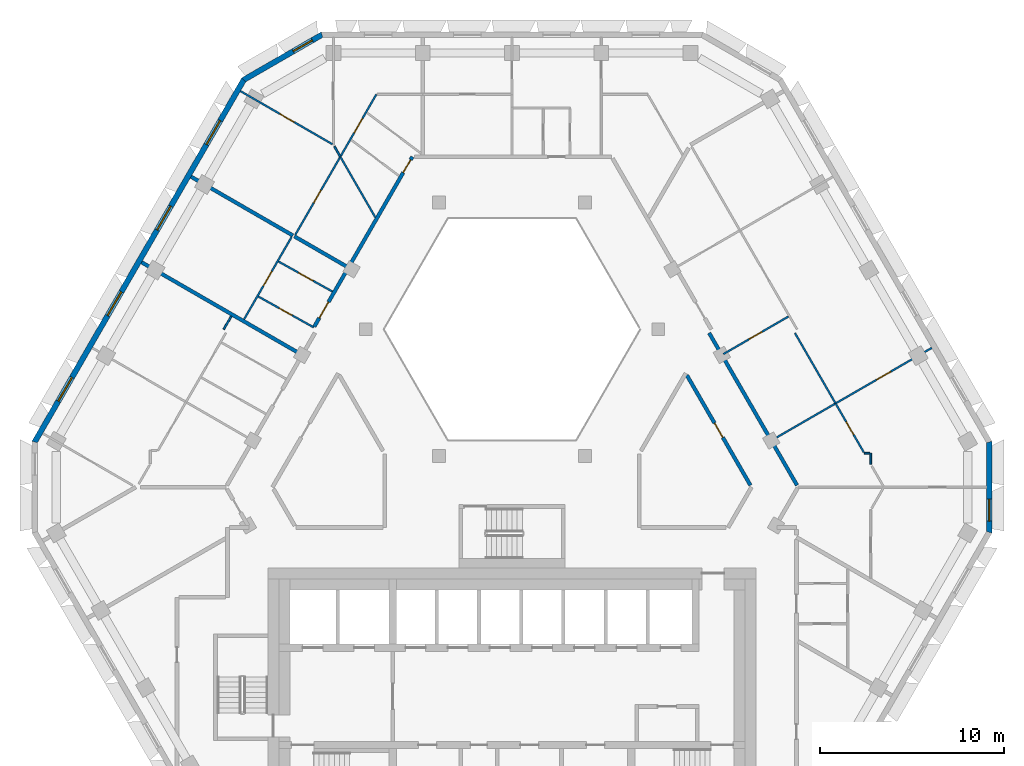
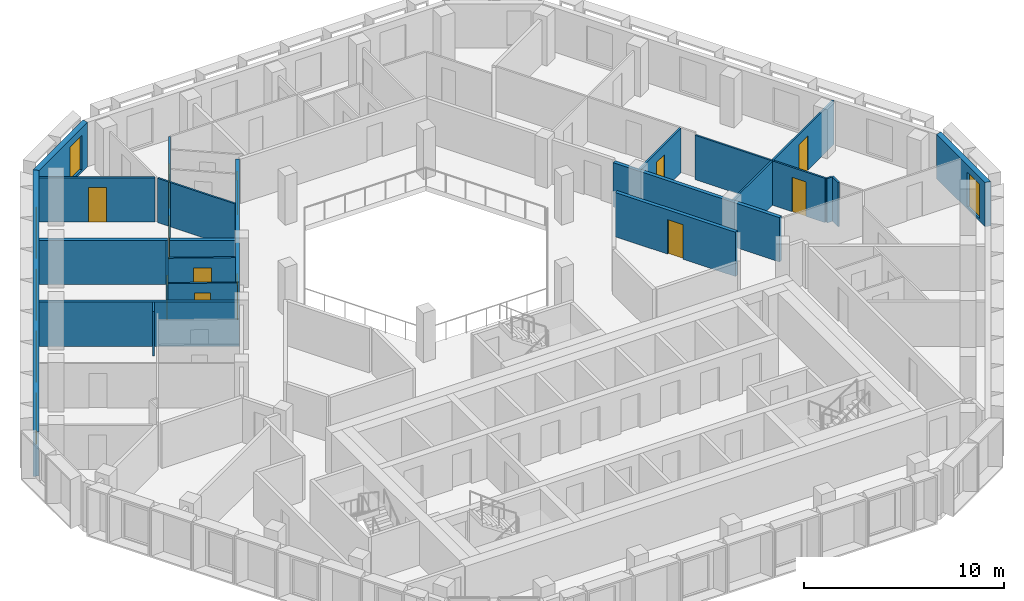
# One storey, part 6 of 15: 23 walls, 12 doors, 6 windows, 18 openings.
"""IFC4 building model written with IfcOpenShell, lengths in metres."""

from ifc_helpers import new_model, si_unit, direction, frame, frame_2d, origin, place, context, subcontext, project, spatial, polyline, rectangle, outline, extrude, material, layer, layer_set, type_object, element, fill, save


model = new_model("IFC4")

# Units and contexts
model_context = context("Model", 3, precision=1e-05, world=origin(), true_north=direction((0.0, 1.0)))
body_context = subcontext(model_context, "Body", "Model", "MODEL_VIEW")
ifc_project = project(units=[si_unit("LENGTHUNIT", "METRE"), si_unit("AREAUNIT", "SQUARE_METRE"), si_unit("VOLUMEUNIT", "CUBIC_METRE"), si_unit("PLANEANGLEUNIT", "RADIAN"), si_unit("MASSUNIT", "GRAM", prefix="KILO")], contexts=[model_context])

# Site, building, storey
site_placement = place(None, origin())
site = spatial("IfcSite", under=ifc_project, at=site_placement, CompositionType="ELEMENT")
building_placement = place(site_placement, origin())
building = spatial("IfcBuilding", under=site, at=building_placement, Name="Beryl Residences", CompositionType="ELEMENT")
storey_placement = place(building_placement, frame((0.0, 0.0, 163.199951171875)))
storey = spatial("IfcBuildingStorey", under=building, at=storey_placement, Name="L49", CompositionType="ELEMENT", Elevation=163.199951171875)

# Wall, opening, window
ifc_material_1 = material(Name="Composite metal panel with mineral wool insulation")
ifc_layer_1 = layer(ifc_material_1, 0.300048828125)
ifc_layer_set_1 = layer_set([ifc_layer_1], Name="ES1 pale metal composite panel wall 300 mm")
wall_type_1 = type_object("IfcWallType", Name="ES1 pale metal composite panel wall 300 mm", PredefinedType="SOLIDWALL", material=ifc_layer_set_1)
wall_1_placement = place(storey_placement, frame((-10.31689453125, 24.070068359375, 0.0), z_axis=(0.0, 0.0, 1.0), x_axis=(-0.866022959057, -0.500004234368, 0.0)))
wall_1 = element("IfcWall", 1, at=wall_1_placement, inside=storey, type_object=wall_type_1, Name="ES1 external wall L49 N-NW", PredefinedType="SOLIDWALL", context=body_context, shape_type="SweptSolid", body=[
    extrude(outline(polyline([(0.0, -0.14990234375), (5.0, -0.14990234375), (4.919677734375, 0.14990234375), (0.080322265625, 0.14990234375), (0.0, -0.14990234375)])), origin(), (0.0, 0.0, 1.0), 2.699951171875),
])
opening_1_placement = place(wall_1_placement, frame((0.64990234375, 0.0, 0.14990234375)))
opening_1 = element("IfcOpeningElement", 2, at=opening_1_placement, cuts=wall_1, Name="Opening W2", PredefinedType="OPENING", context=body_context, shape_type="SweptSolid", body=[
    extrude(rectangle(XDim=1.199951171875, YDim=2.10009765625, at=frame_2d((0.60009765625, 1.050048828125))), frame((0.0, 0.159912109375, 0.0), z_axis=(0.0, -1.0, 0.0), x_axis=(1.0, 0.0, 0.0)), (0.0, 0.0, 1.0), 0.320068359375),
])
ifc_material_2 = material(Name="Aluminium and clear glass", Category="aluminium")
window_type_1 = type_object("IfcWindowType", Name="W2 chamfer window 1200 x 2100 mm", PartitioningType="SINGLE_PANEL", PredefinedType="WINDOW", material=ifc_material_2)
window_1_placement = place(opening_1_placement, origin())
window_1 = element("IfcWindow", 3, at=window_1_placement, inside=storey, type_object=window_type_1, Name="W2 window L49 N-NW 1", OverallHeight=2.10009765625, OverallWidth=1.199951171875, PartitioningType="SINGLE_PANEL", PredefinedType="WINDOW", context=body_context, shape_type="SweptSolid", body=[
    extrude(rectangle(XDim=1.199951171875, YDim=2.10009765625, at=frame_2d((0.60009765625, 1.050048828125))), frame((0.0, 0.030029296875, 0.0), z_axis=(0.0, -1.0, 0.0), x_axis=(1.0, 0.0, 0.0)), (0.0, 0.0, 1.0), 0.06005859375),
])
fill(opening_1, window_1)

# Wall, openings, windows
wall_2_placement = place(storey_placement, frame((-14.592041015625, 21.625, 0.0), z_axis=(0.0, 0.0, 1.0), x_axis=(-0.500010537973, -0.866019319597, 0.0)))
wall_2 = element("IfcWall", 4, at=wall_2_placement, inside=storey, type_object=wall_type_1, Name="ES1 external wall L49 NW", PredefinedType="SOLIDWALL", context=body_context, shape_type="SweptSolid", body=[
    extrude(outline(polyline([(0.0, -0.14990234375), (22.86328125, -0.14990234375), (22.782958984375, 0.14990234375), (0.080322265625, 0.14990234375), (0.0, -0.14990234375)])), origin(), (0.0, 0.0, 1.0), 2.699951171875),
])
opening_2_placement = place(wall_2_placement, frame((2.60595703125, 0.0, 0.14990234375)))
opening_2 = element("IfcOpeningElement", 5, at=opening_2_placement, cuts=wall_2, Name="Opening W1", PredefinedType="OPENING", context=body_context, shape_type="SweptSolid", body=[
    extrude(rectangle(XDim=1.5, YDim=2.10009765625, at=frame_2d((0.75, 1.050048828125))), frame((0.0, 0.159912109375, 0.0), z_axis=(0.0, -1.0, 0.0), x_axis=(1.0, 0.0, 0.0)), (0.0, 0.0, 1.0), 0.320068359375),
])
opening_3_placement = place(wall_2_placement, frame((7.989990234375, 0.0, 0.14990234375)))
opening_3 = element("IfcOpeningElement", 6, at=opening_3_placement, cuts=wall_2, Name="Opening W1", PredefinedType="OPENING", context=body_context, shape_type="SweptSolid", body=[
    extrude(rectangle(XDim=1.5, YDim=2.10009765625, at=frame_2d((0.75, 1.050048828125))), frame((0.0, 0.159912109375, 0.0), z_axis=(0.0, -1.0, 0.0), x_axis=(1.0, 0.0, 0.0)), (0.0, 0.0, 1.0), 0.320068359375),
])
opening_4_placement = place(wall_2_placement, frame((13.373046875, 0.0, 0.14990234375)))
opening_4 = element("IfcOpeningElement", 7, at=opening_4_placement, cuts=wall_2, Name="Opening W1", PredefinedType="OPENING", context=body_context, shape_type="SweptSolid", body=[
    extrude(rectangle(XDim=1.5, YDim=2.10009765625, at=frame_2d((0.75, 1.050048828125))), frame((0.0, 0.159912109375, 0.0), z_axis=(0.0, -1.0, 0.0), x_axis=(1.0, 0.0, 0.0)), (0.0, 0.0, 1.0), 0.320068359375),
])
opening_5_placement = place(wall_2_placement, frame((18.758056640625, 0.0, 0.14990234375)))
opening_5 = element("IfcOpeningElement", 8, at=opening_5_placement, cuts=wall_2, Name="Opening W1", PredefinedType="OPENING", context=body_context, shape_type="SweptSolid", body=[
    extrude(rectangle(XDim=1.5, YDim=2.10009765625, at=frame_2d((0.75, 1.050048828125))), frame((0.0, 0.159912109375, 0.0), z_axis=(0.0, -1.0, 0.0), x_axis=(1.0, 0.0, 0.0)), (0.0, 0.0, 1.0), 0.320068359375),
])
ifc_material_3 = material(Name="Aluminium and clear glass", Category="aluminium")
window_type_2 = type_object("IfcWindowType", Name="W1 cell window 1500 x 2100 mm", PartitioningType="SINGLE_PANEL", PredefinedType="WINDOW", material=ifc_material_3)
window_2_placement = place(opening_2_placement, origin())
window_2 = element("IfcWindow", 9, at=window_2_placement, inside=storey, type_object=window_type_2, Name="W1 window L49 NW 2", OverallHeight=2.10009765625, OverallWidth=1.5, PartitioningType="SINGLE_PANEL", PredefinedType="WINDOW", context=body_context, shape_type="SweptSolid", body=[
    extrude(rectangle(XDim=1.5, YDim=2.10009765625, at=frame_2d((0.75, 1.050048828125))), frame((0.0, 0.030029296875, 0.0), z_axis=(0.0, -1.0, 0.0), x_axis=(1.0, 0.0, 0.0)), (0.0, 0.0, 1.0), 0.06005859375),
])
fill(opening_2, window_2)
window_3_placement = place(opening_3_placement, origin())
window_3 = element("IfcWindow", 10, at=window_3_placement, inside=storey, type_object=window_type_2, Name="W1 window L49 NW 4", OverallHeight=2.10009765625, OverallWidth=1.5, PartitioningType="SINGLE_PANEL", PredefinedType="WINDOW", context=body_context, shape_type="SweptSolid", body=[
    extrude(rectangle(XDim=1.5, YDim=2.10009765625, at=frame_2d((0.75, 1.050048828125))), frame((0.0, 0.030029296875, 0.0), z_axis=(0.0, -1.0, 0.0), x_axis=(1.0, 0.0, 0.0)), (0.0, 0.0, 1.0), 0.06005859375),
])
fill(opening_3, window_3)
window_4_placement = place(opening_4_placement, origin())
window_4 = element("IfcWindow", 11, at=window_4_placement, inside=storey, type_object=window_type_2, Name="W1 window L49 NW 6", OverallHeight=2.10009765625, OverallWidth=1.5, PartitioningType="SINGLE_PANEL", PredefinedType="WINDOW", context=body_context, shape_type="SweptSolid", body=[
    extrude(rectangle(XDim=1.5, YDim=2.10009765625, at=frame_2d((0.75, 1.050048828125))), frame((0.0, 0.030029296875, 0.0), z_axis=(0.0, -1.0, 0.0), x_axis=(1.0, 0.0, 0.0)), (0.0, 0.0, 1.0), 0.06005859375),
])
fill(opening_4, window_4)
window_5_placement = place(opening_5_placement, origin())
window_5 = element("IfcWindow", 12, at=window_5_placement, inside=storey, type_object=window_type_2, Name="W1 window L49 NW 8", OverallHeight=2.10009765625, OverallWidth=1.5, PartitioningType="SINGLE_PANEL", PredefinedType="WINDOW", context=body_context, shape_type="SweptSolid", body=[
    extrude(rectangle(XDim=1.5, YDim=2.10009765625, at=frame_2d((0.75, 1.050048828125))), frame((0.0, 0.030029296875, 0.0), z_axis=(0.0, -1.0, 0.0), x_axis=(1.0, 0.0, 0.0)), (0.0, 0.0, 1.0), 0.06005859375),
])
fill(opening_5, window_5)

# Wall, opening, window
wall_3_placement = place(storey_placement, frame((26.00390625, -3.10009765625, 0.0), z_axis=(0.0, 0.0, 1.0), x_axis=(0.0, 1.0, 0.0)))
wall_3 = element("IfcWall", 13, at=wall_3_placement, inside=storey, type_object=wall_type_1, Name="ES1 external wall L49 SE-NE", PredefinedType="SOLIDWALL", context=body_context, shape_type="SweptSolid", body=[
    extrude(outline(polyline([(0.0, -0.14990234375), (5.0, -0.14990234375), (4.919677734375, 0.14990234375), (0.080322265625, 0.14990234375), (0.0, -0.14990234375)])), origin(), (0.0, 0.0, 1.0), 2.699951171875),
])
opening_6_placement = place(wall_3_placement, frame((0.64990234375, 0.0, 0.14990234375)))
opening_6 = element("IfcOpeningElement", 14, at=opening_6_placement, cuts=wall_3, Name="Opening W2", PredefinedType="OPENING", context=body_context, shape_type="SweptSolid", body=[
    extrude(rectangle(XDim=1.199951171875, YDim=2.10009765625, at=frame_2d((0.60009765625, 1.050048828125))), frame((0.0, 0.159912109375, 0.0), z_axis=(0.0, -1.0, 0.0), x_axis=(1.0, 0.0, 0.0)), (0.0, 0.0, 1.0), 0.320068359375),
])
window_6_placement = place(opening_6_placement, origin())
window_6 = element("IfcWindow", 15, at=window_6_placement, inside=storey, type_object=window_type_1, Name="W2 window L49 SE-NE 1", OverallHeight=2.10009765625, OverallWidth=1.199951171875, PartitioningType="SINGLE_PANEL", PredefinedType="WINDOW", context=body_context, shape_type="SweptSolid", body=[
    extrude(rectangle(XDim=1.199951171875, YDim=2.10009765625, at=frame_2d((0.60009765625, 1.050048828125))), frame((0.0, 0.030029296875, 0.0), z_axis=(0.0, -1.0, 0.0), x_axis=(1.0, 0.0, 0.0)), (0.0, 0.0, 1.0), 0.06005859375),
])
fill(opening_6, window_6)

# Walls
ifc_material_4 = material(Name="Gypsum board partition on steel studs", Category="steel")
ifc_layer_2 = layer(ifc_material_4, 0.10009765625)
ifc_layer_set_2 = layer_set([ifc_layer_2], Name="PT1 partition 100 mm gypsum board on steel studs")
wall_type_2 = type_object("IfcWallType", Name="PT1 partition 100 mm gypsum board on steel studs", PredefinedType="PARTITIONING", material=ifc_layer_set_2)
wall_4_placement = place(storey_placement, frame((-9.677978515625, 17.964111328125, 0.0), z_axis=(0.0, 0.0, 1.0), x_axis=(0.500208928872, -0.865904745036, 0.0)))
element("IfcWall", 16, at=wall_4_placement, inside=storey, type_object=wall_type_2, Name="Wall PT1 L49 001", PredefinedType="PARTITIONING", context=body_context, shape_type="SweptSolid", body=[
    extrude(rectangle(XDim=0.651611328125, YDim=0.10009765625, at=frame_2d((0.32568359375, 0.0))), origin(), (0.0, 0.0, 1.0), 2.699951171875),
])
wall_5_placement = place(storey_placement, frame((15.412109375, 7.800048828125, 0.0), z_axis=(0.0, 0.0, 1.0), x_axis=(0.499882970317, -0.866092960361, 0.0)))
element("IfcWall", 17, at=wall_5_placement, inside=storey, type_object=wall_type_2, Name="Wall PT1 L49 003", PredefinedType="PARTITIONING", context=body_context, shape_type="SweptSolid", body=[
    extrude(rectangle(XDim=4.4326171875, YDim=0.10009765625, at=frame_2d((2.21630859375, 0.0))), origin(), (0.0, 0.0, 1.0), 2.699951171875),
])

# Wall, opening, door
wall_6_placement = place(storey_placement, frame((-12.720947265625, 11.69189453125, 0.0), z_axis=(0.0, 0.0, 1.0), x_axis=(0.873557394398, -0.486721150859, 0.0)))
wall_6 = element("IfcWall", 18, at=wall_6_placement, inside=storey, type_object=wall_type_2, Name="Wall PT1 L49 008", PredefinedType="PARTITIONING", context=body_context, shape_type="SweptSolid", body=[
    extrude(rectangle(XDim=3.36328125, YDim=0.10009765625, at=frame_2d((1.681640625, 0.0))), origin(), (0.0, 0.0, 1.0), 2.699951171875),
])
opening_7_placement = place(wall_6_placement, frame((1.257080078125, 0.0, 0.0)))
opening_7 = element("IfcOpeningElement", 19, at=opening_7_placement, cuts=wall_6, Name="Opening D1640", PredefinedType="OPENING", context=body_context, shape_type="SweptSolid", body=[
    extrude(rectangle(XDim=0.89990234375, YDim=2.10009765625, at=frame_2d((0.449951171875, 1.050048828125))), frame((0.0, 0.06005859375, 0.0), z_axis=(0.0, -1.0, 0.0), x_axis=(1.0, 0.0, 0.0)), (0.0, 0.0, 1.0), 0.1201171875),
])
ifc_material_5 = material(Name="Timber door leaf", Category="wood")
door_type_1 = type_object("IfcDoorType", Name="D2 room door 900 x 2100 mm", OperationType="SINGLE_SWING_LEFT", PredefinedType="DOOR", material=ifc_material_5)
door_1_placement = place(opening_7_placement, origin())
door_1 = element("IfcDoor", 20, at=door_1_placement, inside=storey, type_object=door_type_1, Name="Door D1640 L49 001", OperationType="SINGLE_SWING_RIGHT", OverallHeight=2.10009765625, OverallWidth=0.89990234375, PredefinedType="DOOR", context=body_context, shape_type="SweptSolid", body=[
    extrude(rectangle(XDim=0.89990234375, YDim=2.10009765625, at=frame_2d((0.449951171875, 1.050048828125))), frame((0.0, 0.02490234375, 0.0), z_axis=(0.0, -1.0, 0.0), x_axis=(1.0, 0.0, 0.0)), (0.0, 0.0, 1.0), 0.050048828125),
])
fill(opening_7, door_1)

wall_7_placement = place(storey_placement, frame((-13.821044921875, 9.785888671875, 0.0), z_axis=(0.0, 0.0, 1.0), x_axis=(0.873644620966, -0.486564565353, 0.0)))
wall_7 = element("IfcWall", 21, at=wall_7_placement, inside=storey, type_object=wall_type_2, Name="Wall PT1 L49 009", PredefinedType="PARTITIONING", context=body_context, shape_type="SweptSolid", body=[
    extrude(rectangle(XDim=3.462646484375, YDim=0.10009765625, at=frame_2d((1.7314453125, 0.0))), origin(), (0.0, 0.0, 1.0), 2.699951171875),
])
opening_8_placement = place(wall_7_placement, frame((1.306884765625, 0.0, 0.0)))
opening_8 = element("IfcOpeningElement", 22, at=opening_8_placement, cuts=wall_7, Name="Opening D1639", PredefinedType="OPENING", context=body_context, shape_type="SweptSolid", body=[
    extrude(rectangle(XDim=0.800048828125, YDim=2.10009765625, at=frame_2d((0.39990234375, 1.050048828125))), frame((0.0, 0.06005859375, 0.0), z_axis=(0.0, -1.0, 0.0), x_axis=(1.0, 0.0, 0.0)), (0.0, 0.0, 1.0), 0.1201171875),
])
ifc_material_6 = material(Name="Timber door leaf", Category="wood")
door_type_2 = type_object("IfcDoorType", Name="D3 bathroom door 800 x 2100 mm", OperationType="SINGLE_SWING_LEFT", PredefinedType="DOOR", material=ifc_material_6)
door_2_placement = place(opening_8_placement, origin())
door_2 = element("IfcDoor", 23, at=door_2_placement, inside=storey, type_object=door_type_2, Name="Door D1639 L49 001", OperationType="SINGLE_SWING_LEFT", OverallHeight=2.10009765625, OverallWidth=0.800048828125, PredefinedType="DOOR", context=body_context, shape_type="SweptSolid", body=[
    extrude(rectangle(XDim=0.800048828125, YDim=2.10009765625, at=frame_2d((0.39990234375, 1.050048828125))), frame((0.0, 0.02490234375, 0.0), z_axis=(0.0, -1.0, 0.0), x_axis=(1.0, 0.0, 0.0)), (0.0, 0.0, 1.0), 0.050048828125),
])
fill(opening_8, door_2)

wall_8_placement = place(storey_placement, frame((-14.7939453125, 20.97509765625, 0.0), z_axis=(0.0, 0.0, 1.0), x_axis=(0.866019221245, -0.500010708319, 0.0)))
wall_8 = element("IfcWall", 24, at=wall_8_placement, inside=storey, type_object=wall_type_2, Name="Wall PT1 L49 014", PredefinedType="PARTITIONING", context=body_context, shape_type="SweptSolid", body=[
    extrude(rectangle(XDim=5.791748046875, YDim=0.10009765625, at=frame_2d((2.89599609375, 0.0))), origin(), (0.0, 0.0, 1.0), 2.699951171875),
])
opening_9_placement = place(wall_8_placement, frame((2.47509765625, 0.0, 0.0)))
opening_9 = element("IfcOpeningElement", 25, at=opening_9_placement, cuts=wall_8, Name="Opening D1636", PredefinedType="OPENING", context=body_context, shape_type="SweptSolid", body=[
    extrude(rectangle(XDim=0.89990234375, YDim=2.10009765625, at=frame_2d((0.449951171875, 1.050048828125))), frame((0.0, 0.06005859375, 0.0), z_axis=(0.0, -1.0, 0.0), x_axis=(1.0, 0.0, 0.0)), (0.0, 0.0, 1.0), 0.1201171875),
])
door_3_placement = place(opening_9_placement, origin())
door_3 = element("IfcDoor", 26, at=door_3_placement, inside=storey, type_object=door_type_1, Name="Door D1636 L49 001", OperationType="SINGLE_SWING_RIGHT", OverallHeight=2.10009765625, OverallWidth=0.89990234375, PredefinedType="DOOR", context=body_context, shape_type="SweptSolid", body=[
    extrude(rectangle(XDim=0.89990234375, YDim=2.10009765625, at=frame_2d((0.449951171875, 1.050048828125))), frame((0.0, 0.02490234375, 0.0), z_axis=(0.0, -1.0, 0.0), x_axis=(1.0, 0.0, 0.0)), (0.0, 0.0, 1.0), 0.050048828125),
])
fill(opening_9, door_3)

# Wall
wall_9_placement = place(storey_placement, frame((19.195068359375, 1.2470703125, 0.0), z_axis=(0.0, 0.0, 1.0), x_axis=(1.0, 0.0, 0.0)))
element("IfcWall", 27, at=wall_9_placement, inside=storey, type_object=wall_type_2, Name="Wall PT1 L49 020", PredefinedType="PARTITIONING", context=body_context, shape_type="SweptSolid", body=[
    extrude(rectangle(XDim=0.302001953125, YDim=0.10009765625, at=frame_2d((0.15087890625, 0.0))), origin(), (0.0, 0.0, 1.0), 2.699951171875),
])

# Wall, openings, doors
wall_10_placement = place(storey_placement, frame((-11.805908203125, 13.14892578125, 0.0), z_axis=(0.0, 0.0, 1.0), x_axis=(0.499932199895, 0.866064544655, 0.0)))
wall_10 = element("IfcWall", 28, at=wall_10_placement, inside=storey, type_object=wall_type_2, Name="Wall PT1 L49 026", PredefinedType="PARTITIONING", context=body_context, shape_type="SweptSolid", body=[
    extrude(rectangle(XDim=8.833251953125, YDim=0.10009765625, at=frame_2d((4.41650390625, 0.0))), origin(), (0.0, 0.0, 1.0), 2.699951171875),
])
opening_10_placement = place(wall_10_placement, frame((6.4130859375, 0.0, 0.0)))
opening_10 = element("IfcOpeningElement", 29, at=opening_10_placement, cuts=wall_10, Name="Opening D1634", PredefinedType="OPENING", context=body_context, shape_type="SweptSolid", body=[
    extrude(rectangle(XDim=0.89990234375, YDim=2.10009765625, at=frame_2d((0.449951171875, 1.050048828125))), frame((0.0, 0.06005859375, 0.0), z_axis=(0.0, -1.0, 0.0), x_axis=(1.0, 0.0, 0.0)), (0.0, 0.0, 1.0), 0.1201171875),
])
opening_11_placement = place(wall_10_placement, frame((2.00390625, 0.0, 0.0)))
opening_11 = element("IfcOpeningElement", 30, at=opening_11_placement, cuts=wall_10, Name="Opening D1637", PredefinedType="OPENING", context=body_context, shape_type="SweptSolid", body=[
    extrude(rectangle(XDim=0.800048828125, YDim=2.10009765625, at=frame_2d((0.39990234375, 1.050048828125))), frame((0.0, 0.06005859375, 0.0), z_axis=(0.0, -1.0, 0.0), x_axis=(1.0, 0.0, 0.0)), (0.0, 0.0, 1.0), 0.1201171875),
])
door_4_placement = place(opening_10_placement, origin())
door_4 = element("IfcDoor", 31, at=door_4_placement, inside=storey, type_object=door_type_1, Name="Door D1634 L49 001", OperationType="SINGLE_SWING_RIGHT", OverallHeight=2.10009765625, OverallWidth=0.89990234375, PredefinedType="DOOR", context=body_context, shape_type="SweptSolid", body=[
    extrude(rectangle(XDim=0.89990234375, YDim=2.10009765625, at=frame_2d((0.449951171875, 1.050048828125))), frame((0.0, 0.02490234375, 0.0), z_axis=(0.0, -1.0, 0.0), x_axis=(1.0, 0.0, 0.0)), (0.0, 0.0, 1.0), 0.050048828125),
])
fill(opening_10, door_4)
door_5_placement = place(opening_11_placement, origin())
door_5 = element("IfcDoor", 32, at=door_5_placement, inside=storey, type_object=door_type_2, Name="Door D1637 L49 001", OperationType="SINGLE_SWING_LEFT", OverallHeight=2.10009765625, OverallWidth=0.800048828125, PredefinedType="DOOR", context=body_context, shape_type="SweptSolid", body=[
    extrude(rectangle(XDim=0.800048828125, YDim=2.10009765625, at=frame_2d((0.39990234375, 1.050048828125))), frame((0.0, 0.02490234375, 0.0), z_axis=(0.0, -1.0, 0.0), x_axis=(1.0, 0.0, 0.0)), (0.0, 0.0, 1.0), 0.050048828125),
])
fill(opening_11, door_5)

# Wall, opening, door
wall_11_placement = place(storey_placement, frame((-14.596923828125, 8.54296875, 0.0), z_axis=(0.0, 0.0, 1.0), x_axis=(0.499962957901, 0.866046788994, 0.0)))
wall_11 = element("IfcWall", 33, at=wall_11_placement, inside=storey, type_object=wall_type_2, Name="Wall PT1 L49 027", PredefinedType="PARTITIONING", context=body_context, shape_type="SweptSolid", body=[
    extrude(rectangle(XDim=5.1845703125, YDim=0.10009765625, at=frame_2d((2.59228515625, 0.0))), origin(), (0.0, 0.0, 1.0), 2.699951171875),
])
opening_12_placement = place(wall_11_placement, frame((2.113037109375, 0.0, 0.0)))
opening_12 = element("IfcOpeningElement", 34, at=opening_12_placement, cuts=wall_11, Name="Opening D1641", PredefinedType="OPENING", context=body_context, shape_type="SweptSolid", body=[
    extrude(rectangle(XDim=0.89990234375, YDim=2.10009765625, at=frame_2d((0.449951171875, 1.050048828125))), frame((0.0, 0.06005859375, 0.0), z_axis=(0.0, -1.0, 0.0), x_axis=(1.0, 0.0, 0.0)), (0.0, 0.0, 1.0), 0.1201171875),
])
door_6_placement = place(opening_12_placement, origin())
door_6 = element("IfcDoor", 35, at=door_6_placement, inside=storey, type_object=door_type_1, Name="Door D1641 L49 001", OperationType="SINGLE_SWING_LEFT", OverallHeight=2.10009765625, OverallWidth=0.89990234375, PredefinedType="DOOR", context=body_context, shape_type="SweptSolid", body=[
    extrude(rectangle(XDim=0.89990234375, YDim=2.10009765625, at=frame_2d((0.449951171875, 1.050048828125))), frame((0.0, 0.02490234375, 0.0), z_axis=(0.0, -1.0, 0.0), x_axis=(1.0, 0.0, 0.0)), (0.0, 0.0, 1.0), 0.050048828125),
])
fill(opening_12, door_6)

# Walls
wall_12_placement = place(storey_placement, frame((-15.7041015625, 8.0, 0.0), z_axis=(0.0, 0.0, 1.0), x_axis=(0.499833531678, 0.866121492985, 0.0)))
element("IfcWall", 36, at=wall_12_placement, inside=storey, type_object=wall_type_2, Name="Wall PT1 L49 030", PredefinedType="PARTITIONING", context=body_context, shape_type="SweptSolid", body=[
    extrude(rectangle(XDim=0.824462890625, YDim=0.10009765625, at=frame_2d((0.412109375, 0.0))), origin(), (0.0, 0.0, 1.0), 2.699951171875),
])
wall_13_placement = place(storey_placement, frame((19.547119140625, 0.637939453125, 0.0), z_axis=(0.0, 0.0, 1.0), x_axis=(0.0, 1.0, 0.0)))
element("IfcWall", 37, at=wall_13_placement, inside=storey, type_object=wall_type_2, Name="Wall PT1 L49 035", PredefinedType="PARTITIONING", context=body_context, shape_type="SweptSolid", body=[
    extrude(rectangle(XDim=0.609130859375, YDim=0.10009765625, at=frame_2d((0.3046875, 0.0))), origin(), (0.0, 0.0, 1.0), 2.699951171875),
])

# Wall, opening, door
wall_14_placement = place(storey_placement, frame((14.2099609375, 1.987060546875, 0.0), z_axis=(0.0, 0.0, 1.0), x_axis=(0.866022959057, 0.500004234368, 0.0)))
wall_14 = element("IfcWall", 38, at=wall_14_placement, inside=storey, type_object=wall_type_2, Name="Wall PT1 L49 040", PredefinedType="PARTITIONING", context=body_context, shape_type="SweptSolid", body=[
    extrude(rectangle(XDim=10.0, YDim=0.10009765625, at=frame_2d((5.0, 0.0))), origin(), (0.0, 0.0, 1.0), 2.699951171875),
])
opening_13_placement = place(wall_14_placement, frame((6.52294921875, 0.0, 0.0)))
opening_13 = element("IfcOpeningElement", 39, at=opening_13_placement, cuts=wall_14, Name="Opening D1619", PredefinedType="OPENING", context=body_context, shape_type="SweptSolid", body=[
    extrude(rectangle(XDim=0.89990234375, YDim=2.10009765625, at=frame_2d((0.449951171875, 1.050048828125))), frame((0.0, 0.06005859375, 0.0), z_axis=(0.0, -1.0, 0.0), x_axis=(1.0, 0.0, 0.0)), (0.0, 0.0, 1.0), 0.1201171875),
])
door_7_placement = place(opening_13_placement, origin())
door_7 = element("IfcDoor", 40, at=door_7_placement, inside=storey, type_object=door_type_1, Name="Door D1619 L49 001", OperationType="SINGLE_SWING_LEFT", OverallHeight=2.10009765625, OverallWidth=0.89990234375, PredefinedType="DOOR", context=body_context, shape_type="SweptSolid", body=[
    extrude(rectangle(XDim=0.89990234375, YDim=2.10009765625, at=frame_2d((0.449951171875, 1.050048828125))), frame((0.0, 0.02490234375, 0.0), z_axis=(0.0, -1.0, 0.0), x_axis=(1.0, 0.0, 0.0)), (0.0, 0.0, 1.0), 0.050048828125),
])
fill(opening_13, door_7)

wall_15_placement = place(storey_placement, frame((11.51806640625, 6.64990234375, 0.0), z_axis=(0.0, 0.0, 1.0), x_axis=(0.865949381454, 0.500131651427, 0.0)))
wall_15 = element("IfcWall", 41, at=wall_15_placement, inside=storey, type_object=wall_type_2, Name="Wall PT1 L49 041", PredefinedType="PARTITIONING", context=body_context, shape_type="SweptSolid", body=[
    extrude(rectangle(XDim=4.09716796875, YDim=0.10009765625, at=frame_2d((2.048583984375, 0.0))), origin(), (0.0, 0.0, 1.0), 2.699951171875),
])
opening_14_placement = place(wall_15_placement, frame((1.623046875, 0.0, 0.0)))
opening_14 = element("IfcOpeningElement", 42, at=opening_14_placement, cuts=wall_15, Name="Opening D1617", PredefinedType="OPENING", context=body_context, shape_type="SweptSolid", body=[
    extrude(rectangle(XDim=0.800048828125, YDim=2.10009765625, at=frame_2d((0.39990234375, 1.050048828125))), frame((0.0, 0.06005859375, 0.0), z_axis=(0.0, -1.0, 0.0), x_axis=(1.0, 0.0, 0.0)), (0.0, 0.0, 1.0), 0.1201171875),
])
door_8_placement = place(opening_14_placement, origin())
door_8 = element("IfcDoor", 43, at=door_8_placement, inside=storey, type_object=door_type_2, Name="Door D1617 L49 001", OperationType="SINGLE_SWING_LEFT", OverallHeight=2.10009765625, OverallWidth=0.800048828125, PredefinedType="DOOR", context=body_context, shape_type="SweptSolid", body=[
    extrude(rectangle(XDim=0.800048828125, YDim=2.10009765625, at=frame_2d((0.39990234375, 1.050048828125))), frame((0.0, 0.02490234375, 0.0), z_axis=(0.0, -1.0, 0.0), x_axis=(1.0, 0.0, 0.0)), (0.0, 0.0, 1.0), 0.050048828125),
])
fill(opening_14, door_8)

# Wall
wall_16_placement = place(storey_placement, frame((-9.35205078125, 17.39990234375, 0.0), z_axis=(0.0, 0.0, 1.0), x_axis=(0.499785326313, -0.866149310225, 0.0)))
element("IfcWall", 44, at=wall_16_placement, inside=storey, type_object=wall_type_2, Name="Wall PT1 L49 043", PredefinedType="PARTITIONING", context=body_context, shape_type="SweptSolid", body=[
    extrude(rectangle(XDim=3.809814453125, YDim=0.10009765625, at=frame_2d((1.90478515625, 0.0))), origin(), (0.0, 0.0, 1.0), 2.699951171875),
])

# Wall, opening, door
wall_17_placement = place(storey_placement, frame((17.6279296875, 3.9609375, 0.0), z_axis=(0.0, 0.0, 1.0), x_axis=(0.50003162148, -0.866007146345, 0.0)))
wall_17 = element("IfcWall", 45, at=wall_17_placement, inside=storey, type_object=wall_type_2, Name="Wall PT1 L49 044", PredefinedType="PARTITIONING", context=body_context, shape_type="SweptSolid", body=[
    extrude(rectangle(XDim=3.075927734375, YDim=0.10009765625, at=frame_2d((1.5380859375, 0.0))), origin(), (0.0, 0.0, 1.0), 2.699951171875),
])
opening_15_placement = place(wall_17_placement, frame((1.1669921875, 0.0, 0.0)))
opening_15 = element("IfcOpeningElement", 46, at=opening_15_placement, cuts=wall_17, Name="Opening D1622", PredefinedType="OPENING", context=body_context, shape_type="SweptSolid", body=[
    extrude(rectangle(XDim=0.800048828125, YDim=2.10009765625, at=frame_2d((0.39990234375, 1.050048828125))), frame((0.0, 0.06005859375, 0.0), z_axis=(0.0, -1.0, 0.0), x_axis=(1.0, 0.0, 0.0)), (0.0, 0.0, 1.0), 0.1201171875),
])
door_9_placement = place(opening_15_placement, origin())
door_9 = element("IfcDoor", 47, at=door_9_placement, inside=storey, type_object=door_type_2, Name="Door D1622 L49 001", OperationType="SINGLE_SWING_RIGHT", OverallHeight=2.10009765625, OverallWidth=0.800048828125, PredefinedType="DOOR", context=body_context, shape_type="SweptSolid", body=[
    extrude(rectangle(XDim=0.800048828125, YDim=2.10009765625, at=frame_2d((0.39990234375, 1.050048828125))), frame((0.0, 0.02490234375, 0.0), z_axis=(0.0, -1.0, 0.0), x_axis=(1.0, 0.0, 0.0)), (0.0, 0.0, 1.0), 0.050048828125),
])
fill(opening_15, door_9)

# Walls
ifc_material_7 = material(Name="Acoustic double stud gypsum board wall")
ifc_layer_3 = layer(ifc_material_7, 0.199951171875)
ifc_layer_set_3 = layer_set([ifc_layer_3], Name="PT3 party wall 200 mm acoustic double stud")
wall_type_3 = type_object("IfcWallType", Name="PT3 party wall 200 mm acoustic double stud", PredefinedType="PARTITIONING", material=ifc_layer_set_3)
wall_18_placement = place(storey_placement, frame((-20.177978515625, 11.64990234375, 0.0), z_axis=(0.0, 0.0, 1.0), x_axis=(0.866016855193, -0.500014806302, 0.0)))
element("IfcWall", 48, at=wall_18_placement, inside=storey, type_object=wall_type_3, Name="Wall PT3 L49 002", PredefinedType="PARTITIONING", context=body_context, shape_type="SweptSolid", body=[
    extrude(rectangle(XDim=9.999755859375, YDim=0.199951171875, at=frame_2d((5.0, 0.0))), origin(), (0.0, 0.0, 1.0), 2.699951171875),
])
wall_19_placement = place(storey_placement, frame((-17.486083984375, 16.31298828125, 0.0), z_axis=(0.0, 0.0, 1.0), x_axis=(0.866002210665, -0.500040169509, 0.0)))
element("IfcWall", 49, at=wall_19_placement, inside=storey, type_object=wall_type_3, Name="Wall PT3 L49 005", PredefinedType="PARTITIONING", context=body_context, shape_type="SweptSolid", body=[
    extrude(rectangle(XDim=6.40771484375, YDim=0.199951171875, at=frame_2d((3.203857421875, 0.0))), origin(), (0.0, 0.0, 1.0), 2.699951171875),
])
wall_20_placement = place(storey_placement, frame((-11.85595703125, 13.06298828125, 0.0), z_axis=(0.0, 0.0, 1.0), x_axis=(0.865966208357, -0.500102515474, 0.0)))
element("IfcWall", 50, at=wall_20_placement, inside=storey, type_object=wall_type_3, Name="Wall PT3 L49 006", PredefinedType="PARTITIONING", context=body_context, shape_type="SweptSolid", body=[
    extrude(rectangle(XDim=3.299072265625, YDim=0.199951171875, at=frame_2d((1.6494140625, 0.0))), origin(), (0.0, 0.0, 1.0), 2.699951171875),
])

# Wall, opening, door
ifc_material_8 = material(Name="Double stud gypsum board wall")
ifc_layer_4 = layer(ifc_material_8, 0.199951171875)
ifc_layer_set_4 = layer_set([ifc_layer_4], Name="PT4 corridor wall 200 mm double stud")
wall_type_4 = type_object("IfcWallType", Name="PT4 corridor wall 200 mm double stud", PredefinedType="PARTITIONING", material=ifc_layer_set_4)
wall_21_placement = place(storey_placement, frame((9.52587890625, 5.5, 0.0), z_axis=(0.0, 0.0, 1.0), x_axis=(0.500062092869, -0.865989551482, 0.0)))
wall_21 = element("IfcWall", 51, at=wall_21_placement, inside=storey, type_object=wall_type_4, Name="Wall PT4 L49 004", PredefinedType="PARTITIONING", context=body_context, shape_type="SweptSolid", body=[
    extrude(rectangle(XDim=6.92724609375, YDim=0.199951171875, at=frame_2d((3.463623046875, 0.0))), origin(), (0.0, 0.0, 1.0), 2.699951171875),
])
opening_16_placement = place(wall_21_placement, frame((3.013916015625, 0.0, 0.0)))
opening_16 = element("IfcOpeningElement", 52, at=opening_16_placement, cuts=wall_21, Name="Opening D1643", PredefinedType="OPENING", context=body_context, shape_type="SweptSolid", body=[
    extrude(rectangle(XDim=0.89990234375, YDim=2.10009765625, at=frame_2d((0.449951171875, 1.050048828125))), frame((0.0, 0.10986328125, 0.0), z_axis=(0.0, -1.0, 0.0), x_axis=(1.0, 0.0, 0.0)), (0.0, 0.0, 1.0), 0.219970703125),
])
door_10_placement = place(opening_16_placement, origin())
door_10 = element("IfcDoor", 53, at=door_10_placement, inside=storey, type_object=door_type_1, Name="Door D1643 L49 001", OperationType="SINGLE_SWING_LEFT", OverallHeight=2.10009765625, OverallWidth=0.89990234375, PredefinedType="DOOR", context=body_context, shape_type="SweptSolid", body=[
    extrude(rectangle(XDim=0.89990234375, YDim=2.10009765625, at=frame_2d((0.449951171875, 1.050048828125))), frame((0.0, 0.02490234375, 0.0), z_axis=(0.0, -1.0, 0.0), x_axis=(1.0, 0.0, 0.0)), (0.0, 0.0, 1.0), 0.050048828125),
])
fill(opening_16, door_10)

# Wall
wall_22_placement = place(storey_placement, frame((10.739013671875, 7.800048828125, 0.0), z_axis=(0.0, 0.0, 1.0), x_axis=(0.499964311759, -0.86604600742, 0.0)))
element("IfcWall", 54, at=wall_22_placement, inside=storey, type_object=wall_type_4, Name="Wall PT4 L49 005", PredefinedType="PARTITIONING", context=body_context, shape_type="SweptSolid", body=[
    extrude(rectangle(XDim=9.582763671875, YDim=0.199951171875, at=frame_2d((4.79150390625, 0.0))), origin(), (0.0, 0.0, 1.0), 2.699951171875),
])

# Wall, openings, doors
wall_23_placement = place(storey_placement, frame((-10.77099609375, 8.14404296875, 0.0), z_axis=(0.0, 0.0, 1.0), x_axis=(0.500008507724, 0.866020491792, 0.0)))
wall_23 = element("IfcWall", 55, at=wall_23_placement, inside=storey, type_object=wall_type_4, Name="Wall PT4 L49 020", PredefinedType="PARTITIONING", context=body_context, shape_type="SweptSolid", body=[
    extrude(rectangle(XDim=10.687744140625, YDim=0.199951171875, at=frame_2d((5.34375, 0.0))), origin(), (0.0, 0.0, 1.0), 2.699951171875),
])
opening_17_placement = place(wall_23_placement, frame((9.69189453125, 0.0, 0.0)))
opening_17 = element("IfcOpeningElement", 56, at=opening_17_placement, cuts=wall_23, Name="Opening D1631", PredefinedType="OPENING", context=body_context, shape_type="SweptSolid", body=[
    extrude(rectangle(XDim=0.800048828125, YDim=2.10009765625, at=frame_2d((0.39990234375, 1.050048828125))), frame((0.0, 0.10986328125, 0.0), z_axis=(0.0, -1.0, 0.0), x_axis=(1.0, 0.0, 0.0)), (0.0, 0.0, 1.0), 0.219970703125),
])
opening_18_placement = place(wall_23_placement, frame((0.549072265625, 0.0, 0.0)))
opening_18 = element("IfcOpeningElement", 57, at=opening_18_placement, cuts=wall_23, Name="Opening D1638", PredefinedType="OPENING", context=body_context, shape_type="SweptSolid", body=[
    extrude(rectangle(XDim=1.0, YDim=2.10009765625, at=frame_2d((0.5, 1.050048828125))), frame((0.0, 0.10986328125, 0.0), z_axis=(0.0, -1.0, 0.0), x_axis=(1.0, 0.0, 0.0)), (0.0, 0.0, 1.0), 0.219970703125),
])
ifc_material_9 = material(Name="Timber door leaf", Category="wood")
door_type_3 = type_object("IfcDoorType", Name="D1 flat entrance door 1000 x 2100 mm", OperationType="SINGLE_SWING_LEFT", PredefinedType="DOOR", material=ifc_material_9)
door_11_placement = place(opening_18_placement, origin())
door_11 = element("IfcDoor", 58, at=door_11_placement, inside=storey, type_object=door_type_3, Name="Door D1638 L49 001", OperationType="SINGLE_SWING_RIGHT", OverallHeight=2.10009765625, OverallWidth=1.0, PredefinedType="DOOR", context=body_context, shape_type="SweptSolid", body=[
    extrude(rectangle(XDim=1.0, YDim=2.10009765625, at=frame_2d((0.5, 1.050048828125))), frame((0.0, 0.02490234375, 0.0), z_axis=(0.0, -1.0, 0.0), x_axis=(1.0, 0.0, 0.0)), (0.0, 0.0, 1.0), 0.050048828125),
])
fill(opening_18, door_11)
ifc_material_10 = material(Name="Timber door leaf", Category="wood")
door_type_4 = type_object("IfcDoorType", Name="D12 flat entrance door 800 x 2100 mm", OperationType="SINGLE_SWING_LEFT", PredefinedType="DOOR", material=ifc_material_10)
door_12_placement = place(opening_17_placement, origin())
door_12 = element("IfcDoor", 59, at=door_12_placement, inside=storey, type_object=door_type_4, Name="Door D1631 L49 001", OperationType="SINGLE_SWING_LEFT", OverallHeight=2.10009765625, OverallWidth=0.800048828125, PredefinedType="DOOR", context=body_context, shape_type="SweptSolid", body=[
    extrude(rectangle(XDim=0.800048828125, YDim=2.10009765625, at=frame_2d((0.39990234375, 1.050048828125))), frame((0.0, 0.02490234375, 0.0), z_axis=(0.0, -1.0, 0.0), x_axis=(1.0, 0.0, 0.0)), (0.0, 0.0, 1.0), 0.050048828125),
])
fill(opening_17, door_12)

save(model, "model.ifc")
